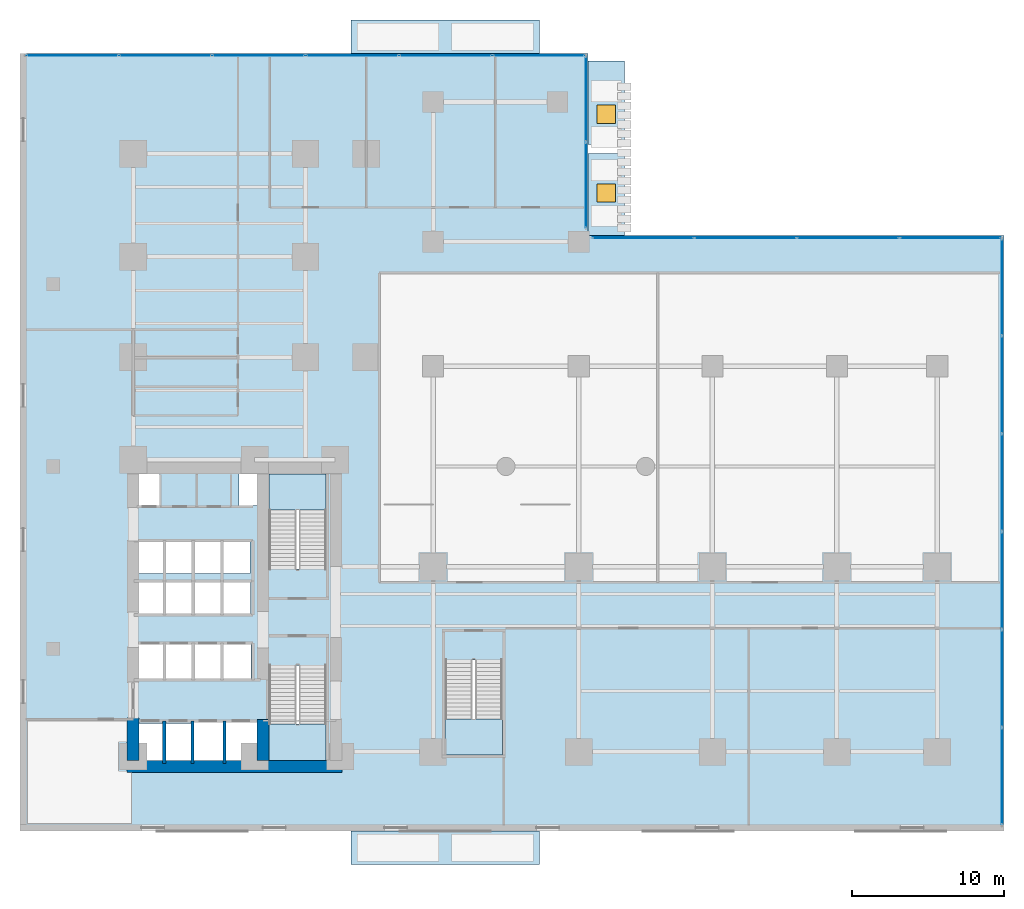
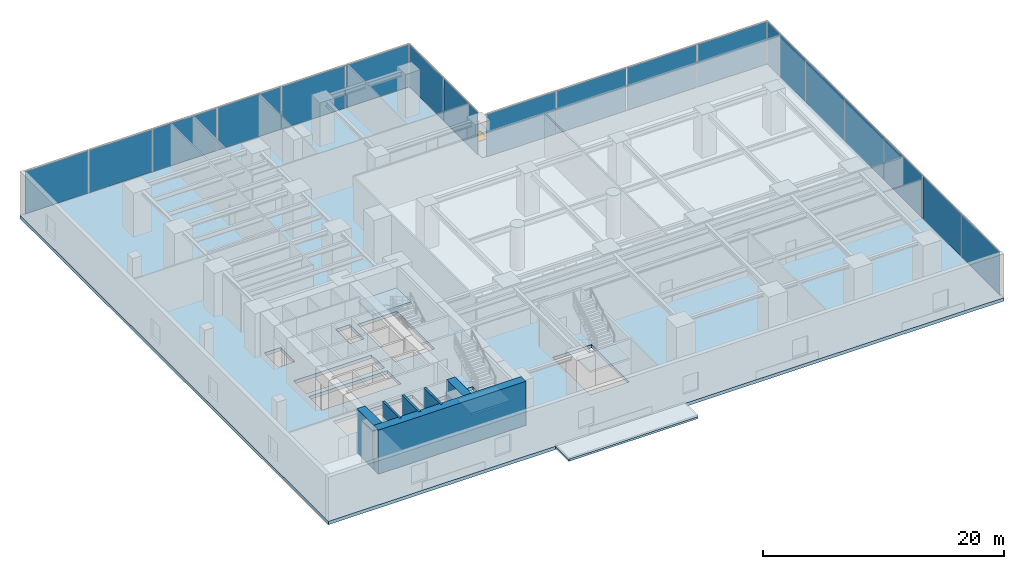
# One storey, part 11 of 17: 18 plates, 8 slabs, 6 walls, 2 windows, 2 openings, 7 elements without a shape of their own.
"""IFC4 building model written with IfcOpenShell, lengths in metres."""

from ifc_helpers import new_model, si_unit, direction, frame, frame_2d, origin, origin_with_axes, origin_2d, place, context, subcontext, project, spatial, polyline, rectangle, outline, extrude, source, transform, mapped, material, layer, layer_set, type_object, element, fill, aggregate, save


model = new_model("IFC4")

# Units and contexts
model_context = context("Model", 3, precision=1e-05, world=origin(), true_north=direction((0.0, 1.0)))
body_context = subcontext(model_context, "Body", "Model", "MODEL_VIEW")
ifc_project = project(units=[si_unit("LENGTHUNIT", "METRE"), si_unit("AREAUNIT", "SQUARE_METRE"), si_unit("VOLUMEUNIT", "CUBIC_METRE"), si_unit("PLANEANGLEUNIT", "RADIAN"), si_unit("MASSUNIT", "GRAM", prefix="KILO")], contexts=[model_context])

# Site, building, storey
site_placement = place(None, origin())
site = spatial("IfcSite", under=ifc_project, at=site_placement, CompositionType="ELEMENT")
building_placement = place(site_placement, origin())
building = spatial("IfcBuilding", under=site, at=building_placement, Name="Kolvaren Waterfront Exchange", CompositionType="ELEMENT")
storey_placement = place(building_placement, frame((0.0, 0.0, 5.60009765625)))
storey = spatial("IfcBuildingStorey", under=building, at=storey_placement, Name="L02", CompositionType="ELEMENT", Elevation=5.60009765625)

# Slabs
ifc_material_1 = material(Name="Precast concrete C40/50", Category="concrete")
ifc_layer_1 = layer(ifc_material_1, 0.2099609375, Name="Precast concrete C40/50")
ifc_layer_set_1 = layer_set([ifc_layer_1], Name="Precast concrete C40/50")
slab_type_1 = type_object("IfcSlabType", Name="STR-CANOPY-210", PredefinedType="ROOF", material=ifc_layer_set_1)
slab_1_placement = place(storey_placement, frame((0.0, 0.0, -0.210205078125)))
element("IfcSlab", 1, at=slab_1_placement, inside=storey, type_object=slab_type_1, Name="L01 south arrival portico canopy roof", PredefinedType="ROOF", context=body_context, shape_type="SweptSolid", body=[
    extrude(outline(polyline([(21.800048828125, -2.199951171875), (34.199951171875, -2.199951171875), (34.199951171875, 0.0), (21.800048828125, 0.0), (21.800048828125, -2.199951171875)])), origin(), (0.0, 0.0, 1.0), 0.210205078125),
])
slab_2_placement = place(storey_placement, frame((0.0, 0.0, -0.210205078125)))
element("IfcSlab", 2, at=slab_2_placement, inside=storey, type_object=slab_type_1, Name="L01 north arrival portico canopy roof", PredefinedType="ROOF", context=body_context, shape_type="SweptSolid", body=[
    extrude(outline(polyline([(21.800048828125, 51.199951171875), (34.199951171875, 51.199951171875), (34.199951171875, 53.39990234375), (21.800048828125, 53.39990234375), (21.800048828125, 51.199951171875)])), origin(), (0.0, 0.0, 1.0), 0.210205078125),
])

# Slab, opening, window
slab_3_placement = place(storey_placement, frame((0.0, 0.0, -0.210205078125)))
slab_3 = element("IfcSlab", 3, at=slab_3_placement, inside=storey, type_object=slab_type_1, Name="Waterfront entrance canopy roof 1", PredefinedType="ROOF", context=body_context, shape_type="SweptSolid", body=[
    extrude(outline(polyline([(37.39990234375, 39.199951171875), (39.800048828125, 39.199951171875), (39.800048828125, 44.60009765625), (37.39990234375, 44.60009765625), (37.39990234375, 39.199951171875)])), origin(), (0.0, 0.0, 1.0), 0.210205078125),
])
opening_1_placement = place(slab_3_placement, frame((38.60009765625, 42.0, 0.0)))
opening_1 = element("IfcOpeningElement", 4, at=opening_1_placement, cuts=slab_3, Name="Opening SK01", PredefinedType="OPENING", context=body_context, shape_type="SweptSolid", body=[
    extrude(rectangle(XDim=1.199951171875, YDim=1.199951171875, at=origin_2d()), frame((0.0, 0.0, -0.010009765625)), (0.0, 0.0, 1.0), 0.230224609375),
])
ifc_material_2 = material(Name="Crown lantern clear solar glass", Category="glass")
window_type = type_object("IfcWindowType", Name="ARC-SKY-1200x1200", PartitioningType="SINGLE_PANEL", PredefinedType="SKYLIGHT", material=ifc_material_2)
window_1_placement = place(opening_1_placement, frame((0.0, 0.0, 0.16015625)))
window_1 = element("IfcWindow", 5, at=window_1_placement, inside=storey, type_object=window_type, Name="L02 canopy glazed rooflight 1", OverallHeight=1.199951171875, OverallWidth=1.199951171875, PartitioningType="SINGLE_PANEL", PredefinedType="SKYLIGHT", context=body_context, shape_type="SweptSolid", body=[
    extrude(rectangle(XDim=1.199951171875, YDim=1.199951171875, at=origin_2d()), origin(), (0.0, 0.0, 1.0), 0.050048828125),
])
fill(opening_1, window_1)

slab_4_placement = place(storey_placement, frame((0.0, 0.0, -0.210205078125)))
slab_4 = element("IfcSlab", 6, at=slab_4_placement, inside=storey, type_object=slab_type_1, Name="Waterfront entrance canopy roof 2", PredefinedType="ROOF", context=body_context, shape_type="SweptSolid", body=[
    extrude(outline(polyline([(37.39990234375, 45.199951171875), (39.800048828125, 45.199951171875), (39.800048828125, 50.699951171875), (37.39990234375, 50.699951171875), (37.39990234375, 45.199951171875)])), origin(), (0.0, 0.0, 1.0), 0.210205078125),
])
opening_2_placement = place(slab_4_placement, frame((38.60009765625, 47.199951171875, 0.0)))
opening_2 = element("IfcOpeningElement", 7, at=opening_2_placement, cuts=slab_4, Name="Opening SK01", PredefinedType="OPENING", context=body_context, shape_type="SweptSolid", body=[
    extrude(rectangle(XDim=1.199951171875, YDim=1.199951171875, at=origin_2d()), frame((0.0, 0.0, -0.010009765625)), (0.0, 0.0, 1.0), 0.230224609375),
])
window_2_placement = place(opening_2_placement, frame((0.0, 0.0, 0.16015625)))
window_2 = element("IfcWindow", 8, at=window_2_placement, inside=storey, type_object=window_type, Name="L02 canopy glazed rooflight 2", OverallHeight=1.199951171875, OverallWidth=1.199951171875, PartitioningType="SINGLE_PANEL", PredefinedType="SKYLIGHT", context=body_context, shape_type="SweptSolid", body=[
    extrude(rectangle(XDim=1.199951171875, YDim=1.199951171875, at=origin_2d()), origin(), (0.0, 0.0, 1.0), 0.050048828125),
])
fill(opening_2, window_2)

# Stair, slab
ifc_material_3 = material(Name="Concrete C40/50", Category="concrete")
stair_type = type_object("IfcStairType", Name="ARC-STAIR-4800", PredefinedType="HALF_TURN_STAIR", material=ifc_material_3)
stair_1_placement = place(storey_placement, origin())
stair_1 = element("IfcStair", 9, at=stair_1_placement, inside=storey, type_object=stair_type, Name="L02 Smoke-proof exit stair ST1", PredefinedType="HALF_TURN_STAIR")
ifc_layer_2 = layer(ifc_material_3, 0.199951171875, Name="Concrete C40/50")
ifc_layer_set_2 = layer_set([ifc_layer_2], Name="Concrete C40/50")
slab_type_2 = type_object("IfcSlabType", Name="STR-LANDING-200", PredefinedType="LANDING", material=ifc_layer_set_2)
slab_5_placement = place(storey_placement, frame((0.0, 0.0, 2.199951171875)))
slab_5 = element("IfcSlab", 10, at=slab_5_placement, type_object=slab_type_2, Name="ST1 landing 1", PredefinedType="LANDING", context=body_context, shape_type="SweptSolid", body=[
    extrude(outline(polyline([(16.39990234375, 7.030029296875), (16.39990234375, 4.64990234375), (20.159912109375, 4.64990234375), (20.159912109375, 7.030029296875), (16.39990234375, 7.030029296875)])), origin(), (0.0, 0.0, 1.0), 0.199951171875),
])
aggregate(stair_1, [slab_5])

stair_2_placement = place(storey_placement, origin())
stair_2 = element("IfcStair", 11, at=stair_2_placement, inside=storey, type_object=stair_type, Name="L02 Smoke-proof exit stair ST2", PredefinedType="HALF_TURN_STAIR")
slab_6_placement = place(storey_placement, frame((0.0, 0.0, 2.199951171875)))
slab_6 = element("IfcSlab", 12, at=slab_6_placement, type_object=slab_type_2, Name="ST2 landing 1", PredefinedType="LANDING", context=body_context, shape_type="SweptSolid", body=[
    extrude(outline(polyline([(20.159912109375, 21.1201171875), (20.159912109375, 23.5), (16.39990234375, 23.5), (16.39990234375, 21.1201171875), (20.159912109375, 21.1201171875)])), origin(), (0.0, 0.0, 1.0), 0.199951171875),
])
aggregate(stair_2, [slab_6])

stair_3_placement = place(storey_placement, origin())
stair_3 = element("IfcStair", 13, at=stair_3_placement, inside=storey, type_object=stair_type, Name="L02 Exit stair ST3", PredefinedType="HALF_TURN_STAIR")
slab_7_placement = place(storey_placement, frame((0.0, 0.0, 2.199951171875)))
slab_7 = element("IfcSlab", 14, at=slab_7_placement, type_object=slab_type_2, Name="ST3 landing 1", PredefinedType="LANDING", context=body_context, shape_type="SweptSolid", body=[
    extrude(outline(polyline([(28.0, 7.3798828125), (28.0, 5.0), (31.760009765625, 5.0), (31.760009765625, 7.3798828125), (28.0, 7.3798828125)])), origin(), (0.0, 0.0, 1.0), 0.199951171875),
])
aggregate(stair_3, [slab_7])

# Slab
ifc_layer_3 = layer(ifc_material_3, 0.340087890625, Name="Concrete C40/50")
ifc_layer_set_3 = layer_set([ifc_layer_3], Name="Concrete C40/50")
slab_type_3 = type_object("IfcSlabType", Name="STR-SLAB-340", PredefinedType="FLOOR", material=ifc_layer_set_3)
slab_8_placement = place(storey_placement, frame((0.0, 0.0, -0.340087890625)))
element("IfcSlab", 15, at=slab_8_placement, inside=storey, type_object=slab_type_3, Name="L02 structural floor slab", PredefinedType="FLOOR", context=body_context, shape_type="SweptSolid", body=[
    extrude(outline(polyline([(0.0, 0.0), (64.800048828125, 0.0), (64.800048828125, 39.199951171875), (37.39990234375, 39.199951171875), (37.39990234375, 51.199951171875), (0.0, 51.199951171875), (0.0, 0.0)]), holes=[polyline([(11.320068359375, 7.260009765625), (15.610107421875, 7.260009765625), (15.610107421875, 4.5400390625), (7.719970703125, 4.5400390625), (7.719970703125, 7.06005859375), (11.320068359375, 7.06005859375), (11.320068359375, 7.260009765625)]), polyline([(20.159912109375, 4.64990234375), (16.39990234375, 4.64990234375), (16.39990234375, 10.89990234375), (20.159912109375, 10.89990234375), (20.159912109375, 4.64990234375)]), polyline([(31.760009765625, 5.0), (28.0, 5.0), (28.0, 11.25), (31.760009765625, 11.25), (31.760009765625, 5.0)]), polyline([(15.2099609375, 10.0400390625), (7.6201171875, 10.0400390625), (7.6201171875, 12.360107421875), (15.2099609375, 12.360107421875), (15.2099609375, 10.0400390625)]), polyline([(7.64501953125, 16.4599609375), (15.18505859375, 16.4599609375), (15.18505859375, 14.239990234375), (7.64501953125, 14.239990234375), (7.64501953125, 16.4599609375)]), polyline([(15.159912109375, 16.93994140625), (7.669921875, 16.93994140625), (7.669921875, 19.06005859375), (15.159912109375, 19.06005859375), (15.159912109375, 16.93994140625)]), polyline([(16.39990234375, 23.5), (20.159912109375, 23.5), (20.159912109375, 17.25), (16.39990234375, 17.25), (16.39990234375, 23.5)]), polyline([(7.60009765625, 23.780029296875), (9.179931640625, 23.780029296875), (9.179931640625, 21.419921875), (7.60009765625, 21.419921875), (7.60009765625, 23.780029296875)]), polyline([(15.800048828125, 23.780029296875), (15.800048828125, 21.419921875), (14.419921875, 21.419921875), (14.419921875, 23.780029296875), (15.800048828125, 23.780029296875)])]), origin(), (0.0, 0.0, 1.0), 0.340087890625),
])

# Curtain wall, plates
ifc_material_4 = material(Name="Anodised bronze aluminium 6063-T6", Category="aluminium")
ifc_layer_4 = layer(ifc_material_4, 0.219970703125, Name="Anodised bronze aluminium 6063-T6")
ifc_layer_set_4 = layer_set([ifc_layer_4], Name="Anodised bronze aluminium 6063-T6")
curtain_wall_type_1 = type_object("IfcCurtainWallType", Name="ARC-CW-SYS4", PredefinedType="USERDEFINED", material=ifc_layer_set_4)
curtain_wall_1_placement = place(storey_placement, origin())
curtain_wall_1 = element("IfcCurtainWall", 16, at=curtain_wall_1_placement, inside=storey, type_object=curtain_wall_type_1, Name="L02 stick curtain wall CW4 (CW-L02-E1)", ObjectType="STICK CURTAIN WALL", PredefinedType="USERDEFINED")
ifc_material_5 = material(Name="High-span laminated vision glass", Category="glass")
ifc_layer_5 = layer(ifc_material_5, 0.035888671875, Name="High-span laminated vision glass")
ifc_layer_set_5 = layer_set([ifc_layer_5], Name="High-span laminated vision glass")
plate_type_1 = type_object("IfcPlateType", Name="ARC-CWP-36", PredefinedType="CURTAIN_PANEL", material=ifc_layer_set_5)
shared_shape_1 = source(origin_with_axes(), body_context, "Body", "SweptSolid", [
    extrude(rectangle(XDim=6.331787109375, YDim=0.035888671875, at=origin_2d()), origin(), (0.0, 0.0, 1.0), 4.31005859375),
])
plate_1_placement = place(storey_placement, frame((64.659912109375, 3.595947265625, 0.074951171875), z_axis=(0.0, 0.0, 1.0), x_axis=(0.0, 1.0, 0.0)))
plate_1 = element("IfcPlate", 17, at=plate_1_placement, type_object=plate_type_1, Name="CW4 panel 1.1", PredefinedType="CURTAIN_PANEL", context=body_context, shape_type="MappedRepresentation", body=[
    mapped(shared_shape_1, transform((0.0, 0.0, 0.0), x_axis=(1.0, 0.0, 0.0), y_axis=(0.0, 1.0, 0.0), z_axis=(0.0, 0.0, 1.0), scale=1.0)),
])
plate_2_placement = place(storey_placement, frame((64.659912109375, 35.814208984375, 0.074951171875), z_axis=(0.0, 0.0, 1.0), x_axis=(0.0, 1.0, 0.0)))
plate_2 = element("IfcPlate", 18, at=plate_2_placement, type_object=plate_type_1, Name="CW4 panel 6.1", PredefinedType="CURTAIN_PANEL", context=body_context, shape_type="MappedRepresentation", body=[
    mapped(shared_shape_1, transform((0.0, 0.0, 0.0), x_axis=(1.0, 0.0, 0.0), y_axis=(0.0, 1.0, 0.0), z_axis=(0.0, 0.0, 1.0), scale=1.0)),
])
shared_shape_2 = source(origin_with_axes(), body_context, "Body", "SweptSolid", [
    extrude(rectangle(XDim=6.37158203125, YDim=0.035888671875, at=origin_2d()), origin(), (0.0, 0.0, 1.0), 4.31005859375),
])
plate_3_placement = place(storey_placement, frame((64.659912109375, 10.027587890625, 0.074951171875), z_axis=(0.0, 0.0, 1.0), x_axis=(0.0, 1.0, 0.0)))
plate_3 = element("IfcPlate", 19, at=plate_3_placement, type_object=plate_type_1, Name="CW4 panel 2.1", PredefinedType="CURTAIN_PANEL", context=body_context, shape_type="MappedRepresentation", body=[
    mapped(shared_shape_2, transform((0.0, 0.0, 0.0), x_axis=(1.0, 0.0, 0.0), y_axis=(0.0, 1.0, 0.0), z_axis=(0.0, 0.0, 1.0), scale=1.0)),
])
plate_4_placement = place(storey_placement, frame((64.659912109375, 16.479248046875, 0.074951171875), z_axis=(0.0, 0.0, 1.0), x_axis=(0.0, 1.0, 0.0)))
plate_4 = element("IfcPlate", 20, at=plate_4_placement, type_object=plate_type_1, Name="CW4 panel 3.1", PredefinedType="CURTAIN_PANEL", context=body_context, shape_type="MappedRepresentation", body=[
    mapped(shared_shape_2, transform((0.0, 0.0, 0.0), x_axis=(1.0, 0.0, 0.0), y_axis=(0.0, 1.0, 0.0), z_axis=(0.0, 0.0, 1.0), scale=1.0)),
])
plate_5_placement = place(storey_placement, frame((64.659912109375, 22.930908203125, 0.074951171875), z_axis=(0.0, 0.0, 1.0), x_axis=(0.0, 1.0, 0.0)))
plate_5 = element("IfcPlate", 21, at=plate_5_placement, type_object=plate_type_1, Name="CW4 panel 4.1", PredefinedType="CURTAIN_PANEL", context=body_context, shape_type="MappedRepresentation", body=[
    mapped(shared_shape_2, transform((0.0, 0.0, 0.0), x_axis=(1.0, 0.0, 0.0), y_axis=(0.0, 1.0, 0.0), z_axis=(0.0, 0.0, 1.0), scale=1.0)),
])
plate_6_placement = place(storey_placement, frame((64.659912109375, 29.382568359375, 0.074951171875), z_axis=(0.0, 0.0, 1.0), x_axis=(0.0, 1.0, 0.0)))
plate_6 = element("IfcPlate", 22, at=plate_6_placement, type_object=plate_type_1, Name="CW4 panel 5.1", PredefinedType="CURTAIN_PANEL", context=body_context, shape_type="MappedRepresentation", body=[
    mapped(shared_shape_2, transform((0.0, 0.0, 0.0), x_axis=(1.0, 0.0, 0.0), y_axis=(0.0, 1.0, 0.0), z_axis=(0.0, 0.0, 1.0), scale=1.0)),
])
aggregate(curtain_wall_1, [plate_1, plate_3, plate_4, plate_5, plate_6, plate_2])

curtain_wall_2_placement = place(storey_placement, origin())
curtain_wall_2 = element("IfcCurtainWall", 23, at=curtain_wall_2_placement, inside=storey, type_object=curtain_wall_type_1, Name="L02 stick curtain wall CW4 (CW-L02-E2)", ObjectType="STICK CURTAIN WALL", PredefinedType="USERDEFINED")
shared_shape_3 = source(origin_with_axes(), body_context, "Body", "SweptSolid", [
    extrude(rectangle(XDim=6.632568359375, YDim=0.035888671875, at=origin_2d()), origin(), (0.0, 0.0, 1.0), 4.31005859375),
])
plate_7_placement = place(storey_placement, frame((61.263671875, 39.06005859375, 0.074951171875), z_axis=(0.0, 0.0, 1.0), x_axis=(-1.0, 0.0, 0.0)))
plate_7 = element("IfcPlate", 24, at=plate_7_placement, type_object=plate_type_1, Name="CW4 panel 1.1", PredefinedType="CURTAIN_PANEL", context=body_context, shape_type="MappedRepresentation", body=[
    mapped(shared_shape_3, transform((0.0, 0.0, 0.0), x_axis=(1.0, 0.0, 0.0), y_axis=(0.0, 1.0, 0.0), z_axis=(0.0, 0.0, 1.0), scale=1.0)),
])
plate_8_placement = place(storey_placement, frame((41.046142578125, 39.06005859375, 0.074951171875), z_axis=(0.0, 0.0, 1.0), x_axis=(-1.0, 0.0, 0.0)))
plate_8 = element("IfcPlate", 25, at=plate_8_placement, type_object=plate_type_1, Name="CW4 panel 4.1", PredefinedType="CURTAIN_PANEL", context=body_context, shape_type="MappedRepresentation", body=[
    mapped(shared_shape_3, transform((0.0, 0.0, 0.0), x_axis=(1.0, 0.0, 0.0), y_axis=(0.0, 1.0, 0.0), z_axis=(0.0, 0.0, 1.0), scale=1.0)),
])
shared_shape_4 = source(origin_with_axes(), body_context, "Body", "SweptSolid", [
    extrude(rectangle(XDim=6.672607421875, YDim=0.035888671875, at=origin_2d()), origin(), (0.0, 0.0, 1.0), 4.31005859375),
])
plate_9_placement = place(storey_placement, frame((54.53125, 39.06005859375, 0.074951171875), z_axis=(0.0, 0.0, 1.0), x_axis=(-1.0, 0.0, 0.0)))
plate_9 = element("IfcPlate", 26, at=plate_9_placement, type_object=plate_type_1, Name="CW4 panel 2.1", PredefinedType="CURTAIN_PANEL", context=body_context, shape_type="MappedRepresentation", body=[
    mapped(shared_shape_4, transform((0.0, 0.0, 0.0), x_axis=(1.0, 0.0, 0.0), y_axis=(0.0, 1.0, 0.0), z_axis=(0.0, 0.0, 1.0), scale=1.0)),
])
plate_10_placement = place(storey_placement, frame((47.77880859375, 39.06005859375, 0.074951171875), z_axis=(0.0, 0.0, 1.0), x_axis=(-1.0, 0.0, 0.0)))
plate_10 = element("IfcPlate", 27, at=plate_10_placement, type_object=plate_type_1, Name="CW4 panel 3.1", PredefinedType="CURTAIN_PANEL", context=body_context, shape_type="MappedRepresentation", body=[
    mapped(shared_shape_4, transform((0.0, 0.0, 0.0), x_axis=(1.0, 0.0, 0.0), y_axis=(0.0, 1.0, 0.0), z_axis=(0.0, 0.0, 1.0), scale=1.0)),
])
aggregate(curtain_wall_2, [plate_7, plate_9, plate_10, plate_8])

curtain_wall_3_placement = place(storey_placement, origin())
curtain_wall_3 = element("IfcCurtainWall", 28, at=curtain_wall_3_placement, inside=storey, type_object=curtain_wall_type_1, Name="L02 stick curtain wall CW4 (CW-L02-N1)", ObjectType="STICK CURTAIN WALL", PredefinedType="USERDEFINED")
shared_shape_5 = source(origin_with_axes(), body_context, "Body", "SweptSolid", [
    extrude(rectangle(XDim=5.5849609375, YDim=0.035888671875, at=origin_2d()), origin(), (0.0, 0.0, 1.0), 4.31005859375),
])
plate_11_placement = place(storey_placement, frame((37.260009765625, 42.5224609375, 0.074951171875), z_axis=(0.0, 0.0, 1.0), x_axis=(0.0, 1.0, 0.0)))
plate_11 = element("IfcPlate", 29, at=plate_11_placement, type_object=plate_type_1, Name="CW4 panel 1.1", PredefinedType="CURTAIN_PANEL", context=body_context, shape_type="MappedRepresentation", body=[
    mapped(shared_shape_5, transform((0.0, 0.0, 0.0), x_axis=(1.0, 0.0, 0.0), y_axis=(0.0, 1.0, 0.0), z_axis=(0.0, 0.0, 1.0), scale=1.0)),
])
plate_12_placement = place(storey_placement, frame((37.260009765625, 48.1875, 0.074951171875), z_axis=(0.0, 0.0, 1.0), x_axis=(0.0, 1.0, 0.0)))
plate_12 = element("IfcPlate", 30, at=plate_12_placement, type_object=plate_type_1, Name="CW4 panel 2.1", PredefinedType="CURTAIN_PANEL", context=body_context, shape_type="MappedRepresentation", body=[
    mapped(shared_shape_5, transform((0.0, 0.0, 0.0), x_axis=(1.0, 0.0, 0.0), y_axis=(0.0, 1.0, 0.0), z_axis=(0.0, 0.0, 1.0), scale=1.0)),
])
aggregate(curtain_wall_3, [plate_11, plate_12])

ifc_layer_6 = layer(ifc_material_4, 0.219970703125, Name="Anodised bronze aluminium 6063-T6")
ifc_layer_set_6 = layer_set([ifc_layer_6], Name="Anodised bronze aluminium 6063-T6")
curtain_wall_type_2 = type_object("IfcCurtainWallType", Name="ARC-CW-SYS1", PredefinedType="USERDEFINED", material=ifc_layer_set_6)
curtain_wall_4_placement = place(storey_placement, origin())
curtain_wall_4 = element("IfcCurtainWall", 31, at=curtain_wall_4_placement, inside=storey, type_object=curtain_wall_type_2, Name="L02 stick curtain wall CW1 (CW-L02-N2)", ObjectType="STICK CURTAIN WALL", PredefinedType="USERDEFINED")
ifc_material_6 = material(Name="Bronze solar control vision glass", Category="aluminium")
ifc_layer_7 = layer(ifc_material_6, 0.028076171875, Name="Bronze solar control vision glass")
ifc_layer_set_7 = layer_set([ifc_layer_7], Name="Bronze solar control vision glass")
plate_type_2 = type_object("IfcPlateType", Name="ARC-CWP-28", PredefinedType="CURTAIN_PANEL", material=ifc_layer_set_7)
shared_shape_6 = source(origin_with_axes(), body_context, "Body", "SweptSolid", [
    extrude(rectangle(XDim=6.03173828125, YDim=0.028076171875, at=origin_2d()), origin(), (0.0, 0.0, 1.0), 4.31005859375),
])
plate_13_placement = place(storey_placement, frame((34.1640625, 51.06005859375, 0.074951171875), z_axis=(0.0, 0.0, 1.0), x_axis=(-1.0, 0.0, 0.0)))
plate_13 = element("IfcPlate", 32, at=plate_13_placement, type_object=plate_type_2, Name="CW1 panel 1.1", PredefinedType="CURTAIN_PANEL", context=body_context, shape_type="MappedRepresentation", body=[
    mapped(shared_shape_6, transform((0.0, 0.0, 0.0), x_axis=(1.0, 0.0, 0.0), y_axis=(0.0, 1.0, 0.0), z_axis=(0.0, 0.0, 1.0), scale=1.0)),
])
plate_14_placement = place(storey_placement, frame((3.44580078125, 51.06005859375, 0.074951171875), z_axis=(0.0, 0.0, 1.0), x_axis=(-1.0, 0.0, 0.0)))
plate_14 = element("IfcPlate", 33, at=plate_14_placement, type_object=plate_type_2, Name="CW1 panel 6.1", PredefinedType="CURTAIN_PANEL", context=body_context, shape_type="MappedRepresentation", body=[
    mapped(shared_shape_6, transform((0.0, 0.0, 0.0), x_axis=(1.0, 0.0, 0.0), y_axis=(0.0, 1.0, 0.0), z_axis=(0.0, 0.0, 1.0), scale=1.0)),
])
shared_shape_7 = source(origin_with_axes(), body_context, "Body", "SweptSolid", [
    extrude(rectangle(XDim=6.07177734375, YDim=0.028076171875, at=origin_2d()), origin(), (0.0, 0.0, 1.0), 4.31005859375),
])
plate_15_placement = place(storey_placement, frame((28.032470703125, 51.06005859375, 0.074951171875), z_axis=(0.0, 0.0, 1.0), x_axis=(-1.0, 0.0, 0.0)))
plate_15 = element("IfcPlate", 34, at=plate_15_placement, type_object=plate_type_2, Name="CW1 panel 2.1", PredefinedType="CURTAIN_PANEL", context=body_context, shape_type="MappedRepresentation", body=[
    mapped(shared_shape_7, transform((0.0, 0.0, 0.0), x_axis=(1.0, 0.0, 0.0), y_axis=(0.0, 1.0, 0.0), z_axis=(0.0, 0.0, 1.0), scale=1.0)),
])
plate_16_placement = place(storey_placement, frame((21.880859375, 51.06005859375, 0.074951171875), z_axis=(0.0, 0.0, 1.0), x_axis=(-1.0, 0.0, 0.0)))
plate_16 = element("IfcPlate", 35, at=plate_16_placement, type_object=plate_type_2, Name="CW1 panel 3.1", PredefinedType="CURTAIN_PANEL", context=body_context, shape_type="MappedRepresentation", body=[
    mapped(shared_shape_7, transform((0.0, 0.0, 0.0), x_axis=(1.0, 0.0, 0.0), y_axis=(0.0, 1.0, 0.0), z_axis=(0.0, 0.0, 1.0), scale=1.0)),
])
plate_17_placement = place(storey_placement, frame((15.729248046875, 51.06005859375, 0.074951171875), z_axis=(0.0, 0.0, 1.0), x_axis=(-1.0, 0.0, 0.0)))
plate_17 = element("IfcPlate", 36, at=plate_17_placement, type_object=plate_type_2, Name="CW1 panel 4.1", PredefinedType="CURTAIN_PANEL", context=body_context, shape_type="MappedRepresentation", body=[
    mapped(shared_shape_7, transform((0.0, 0.0, 0.0), x_axis=(1.0, 0.0, 0.0), y_axis=(0.0, 1.0, 0.0), z_axis=(0.0, 0.0, 1.0), scale=1.0)),
])
plate_18_placement = place(storey_placement, frame((9.577392578125, 51.06005859375, 0.074951171875), z_axis=(0.0, 0.0, 1.0), x_axis=(-1.0, 0.0, 0.0)))
plate_18 = element("IfcPlate", 37, at=plate_18_placement, type_object=plate_type_2, Name="CW1 panel 5.1", PredefinedType="CURTAIN_PANEL", context=body_context, shape_type="MappedRepresentation", body=[
    mapped(shared_shape_7, transform((0.0, 0.0, 0.0), x_axis=(1.0, 0.0, 0.0), y_axis=(0.0, 1.0, 0.0), z_axis=(0.0, 0.0, 1.0), scale=1.0)),
])
aggregate(curtain_wall_4, [plate_13, plate_15, plate_16, plate_17, plate_18, plate_14])

# Walls
ifc_layer_8 = layer(ifc_material_3, 0.199951171875, Name="Concrete C40/50")
ifc_layer_set_8 = layer_set([ifc_layer_8], Name="Concrete C40/50")
wall_type_1 = type_object("IfcWallType", Name="ARC-SHAFT-200", PredefinedType="PARTITIONING", material=ifc_layer_set_8)
for number, where, z_axis, x_axis, name in (
    (38, (9.5, 4.449951171875, 0.0), (0.0, 0.0, 1.0), (0.0, 1.0, 0.0), "L02 interior wall PW-L02-SH1-DIV-95"),
    (39, (11.360107421875, 4.449951171875, 0.0), (0.0, 0.0, 1.0), (0.0, 1.0, 0.0), "L02 interior wall PW-L02-SH1-DIV-113"),
    (40, (13.4599609375, 4.449951171875, 0.0), (0.0, 0.0, 1.0), (0.0, 1.0, 0.0), "L02 interior wall PW-L02-SH1-DIV-134"),
):
    element("IfcWall", number, at=place(storey_placement, frame(where, z_axis=z_axis, x_axis=x_axis)), inside=storey, type_object=wall_type_1, Name=name, PredefinedType="PARTITIONING", context=body_context, shape_type="SweptSolid", body=[
        extrude(rectangle(XDim=2.800048828125, YDim=0.199951171875, at=frame_2d((1.39990234375, 0.0))), origin(), (0.0, 0.0, 1.0), 4.4599609375),
    ])
ifc_material_7 = material(Name="Concrete C70/85", Category="concrete")
ifc_layer_9 = layer(ifc_material_7, 0.800048828125, Name="Concrete C70/85")
ifc_layer_set_9 = layer_set([ifc_layer_9], Name="Concrete C70/85")
wall_type_2 = type_object("IfcWallType", Name="STR-CWALL-800", PredefinedType="SHEAR", material=ifc_layer_set_9)
wall_1_placement = place(storey_placement, frame((7.050048828125, 4.25, 0.0), z_axis=(0.0, 0.0, 1.0), x_axis=(1.0, 0.0, 0.0)))
element("IfcWall", 41, at=wall_1_placement, inside=storey, type_object=wall_type_2, Name="L02 rear-core shear wall S", PredefinedType="SHEAR", context=body_context, shape_type="SweptSolid", body=[
    extrude(rectangle(XDim=14.14990234375, YDim=0.800048828125, at=frame_2d((7.074951171875, 0.0))), origin(), (0.0, 0.0, 1.0), 4.4599609375),
])
wall_2_placement = place(storey_placement, frame((7.449951171875, 4.64990234375, 0.0), z_axis=(0.0, 0.0, 1.0), x_axis=(0.0, 1.0, 0.0)))
element("IfcWall", 42, at=wall_2_placement, inside=storey, type_object=wall_type_2, Name="L02 rear-core shear wall W1", PredefinedType="SHEAR", context=body_context, shape_type="SweptSolid", body=[
    extrude(rectangle(XDim=2.800048828125, YDim=0.800048828125, at=frame_2d((1.39990234375, 0.0))), origin(), (0.0, 0.0, 1.0), 4.4599609375),
])
wall_3_placement = place(storey_placement, frame((16.0, 4.64990234375, 0.0), z_axis=(0.0, 0.0, 1.0), x_axis=(0.0, 1.0, 0.0)))
element("IfcWall", 43, at=wall_3_placement, inside=storey, type_object=wall_type_2, Name="L02 rear-core shear wall M1", PredefinedType="SHEAR", context=body_context, shape_type="SweptSolid", body=[
    extrude(rectangle(XDim=2.7001953125, YDim=0.800048828125, at=frame_2d((1.35009765625, 0.0))), origin(), (0.0, 0.0, 1.0), 4.4599609375),
])

save(model, "model.ifc")
